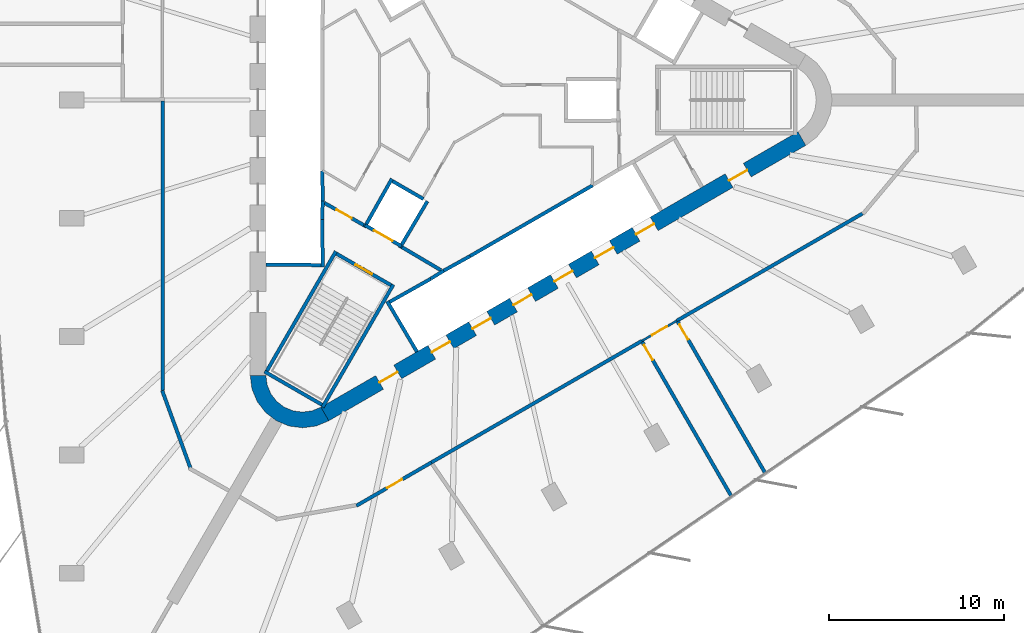
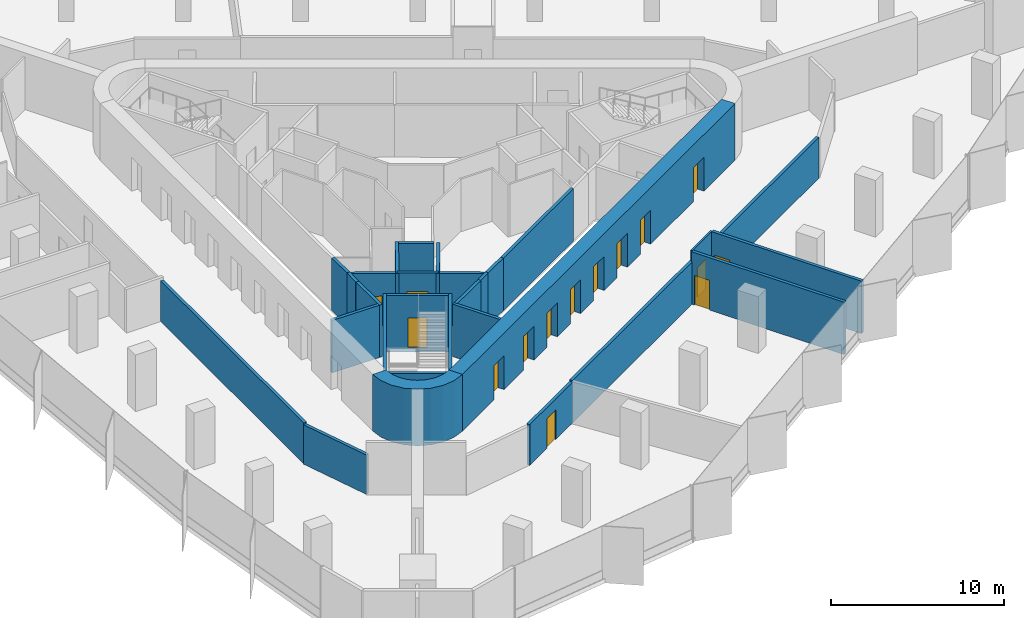
# One storey, part 8 of 13: 29 walls, 15 doors, 15 openings.
"""IFC4 building model written with IfcOpenShell, lengths in metres."""

from ifc_helpers import new_model, si_unit, direction, frame, frame_2d, origin, place, context, subcontext, project, spatial, polyline, rectangle, outline, extrude, material, layer, layer_set, type_object, element, fill, save


model = new_model("IFC4")

# Units and contexts
model_context = context("Model", 3, precision=1e-05, world=origin(), true_north=direction((0.0, 1.0)))
body_context = subcontext(model_context, "Body", "Model", "MODEL_VIEW")
ifc_project = project(units=[si_unit("LENGTHUNIT", "METRE"), si_unit("AREAUNIT", "SQUARE_METRE"), si_unit("VOLUMEUNIT", "CUBIC_METRE"), si_unit("PLANEANGLEUNIT", "RADIAN"), si_unit("MASSUNIT", "GRAM", prefix="KILO")], contexts=[model_context])

# Site, building, storey
site_placement = place(None, origin())
site = spatial("IfcSite", under=ifc_project, at=site_placement, CompositionType="ELEMENT")
building_placement = place(site_placement, origin())
building = spatial("IfcBuilding", under=site, at=building_placement, Name="Tanit Gate Tower", CompositionType="ELEMENT")
storey_placement = place(building_placement, frame((0.0, 0.0, 201.199951171875)))
storey = spatial("IfcBuildingStorey", under=building, at=storey_placement, Name="L44", CompositionType="ELEMENT", Elevation=201.199951171875)

# Wall, openings, doors
ifc_material_1 = material(Name="Concrete C50/60", Category="concrete")
ifc_layer_1 = layer(ifc_material_1, 0.89990234375)
ifc_layer_set_1 = layer_set([ifc_layer_1], Name="CORE WALL 900 C50/60")
wall_type_1 = type_object("IfcWallType", Name="CORE WALL 900 C50/60", PredefinedType="SHEAR", material=ifc_layer_set_1)
wall_1_placement = place(storey_placement, frame((-7.824951171875, -17.969970703125, 0.0), z_axis=(0.0, 0.0, 1.0), x_axis=(0.866028369851, 0.499994862586, 0.0)))
wall_1 = element("IfcWall", 1, at=wall_1_placement, inside=storey, type_object=wall_type_1, Name="CORE WALL", PredefinedType="SHEAR", context=body_context, shape_type="SweptSolid", body=[
    extrude(rectangle(XDim=31.523193359375, YDim=0.89990234375, at=frame_2d((15.76171875, 0.0))), origin(), (0.0, 0.0, 1.0), 4.0),
])
opening_1_placement = place(wall_1_placement, frame((7.061767578125, 0.0, 0.0)))
opening_1 = element("IfcOpeningElement", 2, at=opening_1_placement, cuts=wall_1, Name="Opening LDSX1-S11", PredefinedType="OPENING", context=body_context, shape_type="SweptSolid", body=[
    extrude(rectangle(XDim=1.199951171875, YDim=2.39990234375, at=frame_2d((0.60009765625, 1.199951171875))), frame((0.0, 0.4599609375, 0.0), z_axis=(0.0, -1.0, 0.0), x_axis=(1.0, 0.0, 0.0)), (0.0, 0.0, 1.0), 0.919921875),
])
opening_2_placement = place(wall_1_placement, frame((9.76171875, 0.0, 0.0)))
opening_2 = element("IfcOpeningElement", 3, at=opening_2_placement, cuts=wall_1, Name="Opening LDSX2-S11", PredefinedType="OPENING", context=body_context, shape_type="SweptSolid", body=[
    extrude(rectangle(XDim=1.199951171875, YDim=2.39990234375, at=frame_2d((0.60009765625, 1.199951171875))), frame((0.0, 0.4599609375, 0.0), z_axis=(0.0, -1.0, 0.0), x_axis=(1.0, 0.0, 0.0)), (0.0, 0.0, 1.0), 0.919921875),
])
opening_3_placement = place(wall_1_placement, frame((12.461669921875, 0.0, 0.0)))
opening_3 = element("IfcOpeningElement", 4, at=opening_3_placement, cuts=wall_1, Name="Opening LDSX3-S11", PredefinedType="OPENING", context=body_context, shape_type="SweptSolid", body=[
    extrude(rectangle(XDim=1.199951171875, YDim=2.39990234375, at=frame_2d((0.60009765625, 1.199951171875))), frame((0.0, 0.4599609375, 0.0), z_axis=(0.0, -1.0, 0.0), x_axis=(1.0, 0.0, 0.0)), (0.0, 0.0, 1.0), 0.919921875),
])
opening_4_placement = place(wall_1_placement, frame((15.16162109375, 0.0, 0.0)))
opening_4 = element("IfcOpeningElement", 5, at=opening_4_placement, cuts=wall_1, Name="Opening LDSX4-S11", PredefinedType="OPENING", context=body_context, shape_type="SweptSolid", body=[
    extrude(rectangle(XDim=1.199951171875, YDim=2.39990234375, at=frame_2d((0.60009765625, 1.199951171875))), frame((0.0, 0.4599609375, 0.0), z_axis=(0.0, -1.0, 0.0), x_axis=(1.0, 0.0, 0.0)), (0.0, 0.0, 1.0), 0.919921875),
])
opening_5_placement = place(wall_1_placement, frame((17.861572265625, 0.0, 0.0)))
opening_5 = element("IfcOpeningElement", 6, at=opening_5_placement, cuts=wall_1, Name="Opening LDSV1-S11", PredefinedType="OPENING", context=body_context, shape_type="SweptSolid", body=[
    extrude(rectangle(XDim=1.199951171875, YDim=2.39990234375, at=frame_2d((0.60009765625, 1.199951171875))), frame((0.0, 0.4599609375, 0.0), z_axis=(0.0, -1.0, 0.0), x_axis=(1.0, 0.0, 0.0)), (0.0, 0.0, 1.0), 0.919921875),
])
opening_6_placement = place(wall_1_placement, frame((20.561767578125, 0.0, 0.0)))
opening_6 = element("IfcOpeningElement", 7, at=opening_6_placement, cuts=wall_1, Name="Opening LDSV2-S11", PredefinedType="OPENING", context=body_context, shape_type="SweptSolid", body=[
    extrude(rectangle(XDim=1.199951171875, YDim=2.39990234375, at=frame_2d((0.60009765625, 1.199951171875))), frame((0.0, 0.4599609375, 0.0), z_axis=(0.0, -1.0, 0.0), x_axis=(1.0, 0.0, 0.0)), (0.0, 0.0, 1.0), 0.919921875),
])
opening_7_placement = place(wall_1_placement, frame((26.711669921875, 0.0, 0.0)))
opening_7 = element("IfcOpeningElement", 8, at=opening_7_placement, cuts=wall_1, Name="Opening F12-S11-S1", PredefinedType="OPENING", context=body_context, shape_type="SweptSolid", body=[
    extrude(rectangle(XDim=1.199951171875, YDim=2.39990234375, at=frame_2d((0.60009765625, 1.199951171875))), frame((0.0, 0.4599609375, 0.0), z_axis=(0.0, -1.0, 0.0), x_axis=(1.0, 0.0, 0.0)), (0.0, 0.0, 1.0), 0.919921875),
])
opening_8_placement = place(wall_1_placement, frame((3.611572265625, 0.0, 0.0)))
opening_8 = element("IfcOpeningElement", 9, at=opening_8_placement, cuts=wall_1, Name="Opening F12-S11-FL3", PredefinedType="OPENING", context=body_context, shape_type="SweptSolid", body=[
    extrude(rectangle(XDim=1.199951171875, YDim=2.39990234375, at=frame_2d((0.60009765625, 1.199951171875))), frame((0.0, 0.4599609375, 0.0), z_axis=(0.0, -1.0, 0.0), x_axis=(1.0, 0.0, 0.0)), (0.0, 0.0, 1.0), 0.919921875),
])
ifc_material_2 = material(Name="Fire-rated steel door leaf", Category="steel")
door_type_1 = type_object("IfcDoorType", Name="INT-DOOR-FIRE-LOBBY-1200", OperationType="NOTDEFINED", PredefinedType="USERDEFINED", material=ifc_material_2)
door_1_placement = place(opening_7_placement, origin())
door_1 = element("IfcDoor", 10, at=door_1_placement, inside=storey, type_object=door_type_1, Name="Door F12-S11-S1", ObjectType="FIRE DOOR", OperationType="SINGLE_SWING_LEFT", OverallHeight=2.39990234375, OverallWidth=1.199951171875, PredefinedType="USERDEFINED", context=body_context, shape_type="SweptSolid", body=[
    extrude(rectangle(XDim=1.199951171875, YDim=2.39990234375, at=frame_2d((0.60009765625, 1.199951171875))), frame((0.0, 0.02490234375, 0.0), z_axis=(0.0, -1.0, 0.0), x_axis=(1.0, 0.0, 0.0)), (0.0, 0.0, 1.0), 0.050048828125),
])
fill(opening_7, door_1)
door_2_placement = place(opening_8_placement, origin())
door_2 = element("IfcDoor", 11, at=door_2_placement, inside=storey, type_object=door_type_1, Name="Door F12-S11-FL3", ObjectType="FIRE DOOR", OperationType="SINGLE_SWING_RIGHT", OverallHeight=2.39990234375, OverallWidth=1.199951171875, PredefinedType="USERDEFINED", context=body_context, shape_type="SweptSolid", body=[
    extrude(rectangle(XDim=1.199951171875, YDim=2.39990234375, at=frame_2d((0.60009765625, 1.199951171875))), frame((0.0, 0.02490234375, 0.0), z_axis=(0.0, -1.0, 0.0), x_axis=(1.0, 0.0, 0.0)), (0.0, 0.0, 1.0), 0.050048828125),
])
fill(opening_8, door_2)
ifc_material_3 = material(Name="Stainless steel sliding door leaf", Category="steel")
door_type_2 = type_object("IfcDoorType", Name="INT-DOOR-LANDING-1200", OperationType="NOTDEFINED", PredefinedType="USERDEFINED", material=ifc_material_3)
door_3_placement = place(opening_1_placement, origin())
door_3 = element("IfcDoor", 12, at=door_3_placement, inside=storey, type_object=door_type_2, Name="Door LDSX1-S11", ObjectType="LANDING DOOR", OperationType="SLIDING_TO_LEFT", OverallHeight=2.39990234375, OverallWidth=1.199951171875, PredefinedType="USERDEFINED", context=body_context, shape_type="SweptSolid", body=[
    extrude(rectangle(XDim=1.199951171875, YDim=2.39990234375, at=frame_2d((0.60009765625, 1.199951171875))), frame((0.0, 0.02490234375, 0.0), z_axis=(0.0, -1.0, 0.0), x_axis=(1.0, 0.0, 0.0)), (0.0, 0.0, 1.0), 0.050048828125),
])
fill(opening_1, door_3)
door_4_placement = place(opening_2_placement, origin())
door_4 = element("IfcDoor", 13, at=door_4_placement, inside=storey, type_object=door_type_2, Name="Door LDSX2-S11", ObjectType="LANDING DOOR", OperationType="SLIDING_TO_LEFT", OverallHeight=2.39990234375, OverallWidth=1.199951171875, PredefinedType="USERDEFINED", context=body_context, shape_type="SweptSolid", body=[
    extrude(rectangle(XDim=1.199951171875, YDim=2.39990234375, at=frame_2d((0.60009765625, 1.199951171875))), frame((0.0, 0.02490234375, 0.0), z_axis=(0.0, -1.0, 0.0), x_axis=(1.0, 0.0, 0.0)), (0.0, 0.0, 1.0), 0.050048828125),
])
fill(opening_2, door_4)
door_5_placement = place(opening_3_placement, origin())
door_5 = element("IfcDoor", 14, at=door_5_placement, inside=storey, type_object=door_type_2, Name="Door LDSX3-S11", ObjectType="LANDING DOOR", OperationType="SLIDING_TO_LEFT", OverallHeight=2.39990234375, OverallWidth=1.199951171875, PredefinedType="USERDEFINED", context=body_context, shape_type="SweptSolid", body=[
    extrude(rectangle(XDim=1.199951171875, YDim=2.39990234375, at=frame_2d((0.60009765625, 1.199951171875))), frame((0.0, 0.02490234375, 0.0), z_axis=(0.0, -1.0, 0.0), x_axis=(1.0, 0.0, 0.0)), (0.0, 0.0, 1.0), 0.050048828125),
])
fill(opening_3, door_5)
door_6_placement = place(opening_4_placement, origin())
door_6 = element("IfcDoor", 15, at=door_6_placement, inside=storey, type_object=door_type_2, Name="Door LDSX4-S11", ObjectType="LANDING DOOR", OperationType="SLIDING_TO_LEFT", OverallHeight=2.39990234375, OverallWidth=1.199951171875, PredefinedType="USERDEFINED", context=body_context, shape_type="SweptSolid", body=[
    extrude(rectangle(XDim=1.199951171875, YDim=2.39990234375, at=frame_2d((0.60009765625, 1.199951171875))), frame((0.0, 0.02490234375, 0.0), z_axis=(0.0, -1.0, 0.0), x_axis=(1.0, 0.0, 0.0)), (0.0, 0.0, 1.0), 0.050048828125),
])
fill(opening_4, door_6)
door_7_placement = place(opening_5_placement, origin())
door_7 = element("IfcDoor", 16, at=door_7_placement, inside=storey, type_object=door_type_2, Name="Door LDSV1-S11", ObjectType="LANDING DOOR", OperationType="SLIDING_TO_LEFT", OverallHeight=2.39990234375, OverallWidth=1.199951171875, PredefinedType="USERDEFINED", context=body_context, shape_type="SweptSolid", body=[
    extrude(rectangle(XDim=1.199951171875, YDim=2.39990234375, at=frame_2d((0.60009765625, 1.199951171875))), frame((0.0, 0.02490234375, 0.0), z_axis=(0.0, -1.0, 0.0), x_axis=(1.0, 0.0, 0.0)), (0.0, 0.0, 1.0), 0.050048828125),
])
fill(opening_5, door_7)
door_8_placement = place(opening_6_placement, origin())
door_8 = element("IfcDoor", 17, at=door_8_placement, inside=storey, type_object=door_type_2, Name="Door LDSV2-S11", ObjectType="LANDING DOOR", OperationType="SLIDING_TO_LEFT", OverallHeight=2.39990234375, OverallWidth=1.199951171875, PredefinedType="USERDEFINED", context=body_context, shape_type="SweptSolid", body=[
    extrude(rectangle(XDim=1.199951171875, YDim=2.39990234375, at=frame_2d((0.60009765625, 1.199951171875))), frame((0.0, 0.02490234375, 0.0), z_axis=(0.0, -1.0, 0.0), x_axis=(1.0, 0.0, 0.0)), (0.0, 0.0, 1.0), 0.050048828125),
])
fill(opening_6, door_8)

# Walls
wall_2_placement = place(storey_placement, origin())
element("IfcWall", 18, at=wall_2_placement, inside=storey, type_object=wall_type_1, Name="CORE WALL CORNER", PredefinedType="SHEAR", context=body_context, shape_type="SweptSolid", body=[
    extrude(outline(polyline([(-12.10009765625, -15.76171875), (-11.997802734375, -16.5380859375), (-11.697998046875, -17.26171875), (-11.22119140625, -17.883056640625), (-10.60009765625, -18.359619140625), (-9.87646484375, -18.659423828125), (-9.10009765625, -18.76171875), (-8.323486328125, -18.659423828125), (-7.60009765625, -18.359619140625), (-8.050048828125, -17.580322265625), (-8.556396484375, -17.7900390625), (-9.10009765625, -17.86181640625), (-9.6435546875, -17.7900390625), (-10.14990234375, -17.580322265625), (-10.5849609375, -17.24658203125), (-10.918701171875, -16.811767578125), (-11.12841796875, -16.30517578125), (-11.199951171875, -15.76171875), (-12.10009765625, -15.76171875)])), origin(), (0.0, 0.0, 1.0), 4.0),
])
ifc_material_4 = material(Name="Fire-rated gypsum board partition")
ifc_layer_2 = layer(ifc_material_4, 0.199951171875)
ifc_layer_set_2 = layer_set([ifc_layer_2], Name="INT-WALL-COMPARTMENT")
wall_type_2 = type_object("IfcWallType", Name="INT-WALL-COMPARTMENT", PredefinedType="PARTITIONING", material=ifc_layer_set_2)
wall_3_placement = place(storey_placement, frame((-3.400634765625, -8.43017578125, 0.0), z_axis=(0.0, 0.0, 1.0), x_axis=(0.860615607571, -0.509255118781, 0.0)))
element("IfcWall", 19, at=wall_3_placement, inside=storey, type_object=wall_type_2, Name="Wall Compartment W061", PredefinedType="PARTITIONING", context=body_context, shape_type="SweptSolid", body=[
    extrude(rectangle(XDim=2.58056640625, YDim=0.199951171875, at=frame_2d((1.290283203125, 0.0))), origin(), (0.0, 0.0, 1.0), 3.699951171875),
])

# Wall, opening, door
wall_4_placement = place(storey_placement, frame((-7.849365234375, -5.893798828125, 0.0), z_axis=(0.0, 0.0, 1.0), x_axis=(0.871363259478, -0.490638431059, 0.0)))
wall_4 = element("IfcWall", 20, at=wall_4_placement, inside=storey, type_object=wall_type_2, Name="Wall Compartment W062", PredefinedType="PARTITIONING", context=body_context, shape_type="SweptSolid", body=[
    extrude(rectangle(XDim=2.5810546875, YDim=0.199951171875, at=frame_2d((1.29052734375, 0.0))), origin(), (0.0, 0.0, 1.0), 3.699951171875),
])
opening_9_placement = place(wall_4_placement, frame((0.79052734375, 0.0, 0.0)))
opening_9 = element("IfcOpeningElement", 21, at=opening_9_placement, cuts=wall_4, Name="Opening F10-S11-08", PredefinedType="OPENING", context=body_context, shape_type="SweptSolid", body=[
    extrude(rectangle(XDim=1.0, YDim=2.10009765625, at=frame_2d((0.5, 1.050048828125))), frame((0.0, 0.10986328125, 0.0), z_axis=(0.0, -1.0, 0.0), x_axis=(1.0, 0.0, 0.0)), (0.0, 0.0, 1.0), 0.219970703125),
])
ifc_material_5 = material(Name="Fire-rated steel door leaf", Category="steel")
door_type_3 = type_object("IfcDoorType", Name="INT-DOOR-FIRE-1000", OperationType="NOTDEFINED", PredefinedType="USERDEFINED", material=ifc_material_5)
door_9_placement = place(opening_9_placement, origin())
door_9 = element("IfcDoor", 22, at=door_9_placement, inside=storey, type_object=door_type_3, Name="Door F10-S11-08", ObjectType="FIRE DOOR", OperationType="SINGLE_SWING_RIGHT", OverallHeight=2.10009765625, OverallWidth=1.0, PredefinedType="USERDEFINED", context=body_context, shape_type="SweptSolid", body=[
    extrude(rectangle(XDim=1.0, YDim=2.10009765625, at=frame_2d((0.5, 1.050048828125))), frame((0.0, 0.02490234375, 0.0), z_axis=(0.0, -1.0, 0.0), x_axis=(1.0, 0.0, 0.0)), (0.0, 0.0, 1.0), 0.050048828125),
])
fill(opening_9, door_9)

# Walls
wall_5_placement = place(storey_placement, frame((-17.13427734375, -16.628662109375, 0.0), z_axis=(0.0, 0.0, 1.0), x_axis=(0.342036655594, -0.939686610647, 0.0)))
element("IfcWall", 23, at=wall_5_placement, inside=storey, type_object=wall_type_2, Name="Wall Compartment W097", PredefinedType="PARTITIONING", context=body_context, shape_type="SweptSolid", body=[
    extrude(rectangle(XDim=4.740234375, YDim=0.199951171875, at=frame_2d((2.3701171875, 0.0))), origin(), (0.0, 0.0, 1.0), 2.780029296875),
])
wall_6_placement = place(storey_placement, frame((-17.10009765625, -0.070068359375, 0.0), z_axis=(0.0, 0.0, 1.0), x_axis=(0.0, -1.0, 0.0)))
element("IfcWall", 24, at=wall_6_placement, inside=storey, type_object=wall_type_2, Name="Wall Compartment W098", PredefinedType="PARTITIONING", context=body_context, shape_type="SweptSolid", body=[
    extrude(rectangle(XDim=16.552490234375, YDim=0.199951171875, at=frame_2d((8.2763671875, 0.0))), origin(), (0.0, 0.0, 1.0), 2.880126953125),
])

# Wall, opening, door
wall_7_placement = place(storey_placement, frame((-6.018798828125, -23.220458984375, 0.0), z_axis=(0.0, 0.0, 1.0), x_axis=(0.866018215049, 0.500012451049, 0.0)))
wall_7 = element("IfcWall", 25, at=wall_7_placement, inside=storey, type_object=wall_type_2, Name="Wall Compartment W112", PredefinedType="PARTITIONING", context=body_context, shape_type="SweptSolid", body=[
    extrude(rectangle(XDim=4.955322265625, YDim=0.199951171875, at=frame_2d((2.4775390625, 0.0))), origin(), (0.0, 0.0, 1.0), 2.880126953125),
])
opening_10_placement = place(wall_7_placement, frame((2.01953125, 0.0, 0.0)))
opening_10 = element("IfcOpeningElement", 26, at=opening_10_placement, cuts=wall_7, Name="Opening F10-S11-32", PredefinedType="OPENING", context=body_context, shape_type="SweptSolid", body=[
    extrude(rectangle(XDim=1.0, YDim=2.10009765625, at=frame_2d((0.5, 1.050048828125))), frame((0.0, 0.10986328125, 0.0), z_axis=(0.0, -1.0, 0.0), x_axis=(1.0, 0.0, 0.0)), (0.0, 0.0, 1.0), 0.219970703125),
])
door_10_placement = place(opening_10_placement, origin())
door_10 = element("IfcDoor", 27, at=door_10_placement, inside=storey, type_object=door_type_3, Name="Door F10-S11-32", ObjectType="FIRE DOOR", OperationType="SINGLE_SWING_RIGHT", OverallHeight=2.10009765625, OverallWidth=1.0, PredefinedType="USERDEFINED", context=body_context, shape_type="SweptSolid", body=[
    extrude(rectangle(XDim=1.0, YDim=2.10009765625, at=frame_2d((0.5, 1.050048828125))), frame((0.0, 0.02490234375, 0.0), z_axis=(0.0, -1.0, 0.0), x_axis=(1.0, 0.0, 0.0)), (0.0, 0.0, 1.0), 0.050048828125),
])
fill(opening_10, door_10)

# Walls
wall_8_placement = place(storey_placement, frame((-1.727294921875, -20.74267578125, 0.0), z_axis=(0.0, 0.0, 1.0), x_axis=(0.866022578741, 0.500004893086, 0.0)))
element("IfcWall", 28, at=wall_8_placement, inside=storey, type_object=wall_type_2, Name="Wall Compartment W111", PredefinedType="PARTITIONING", context=body_context, shape_type="SweptSolid", body=[
    extrude(rectangle(XDim=13.917236328125, YDim=0.199951171875, at=frame_2d((6.95849609375, 0.0))), origin(), (0.0, 0.0, 1.0), 2.97998046875),
])
wall_9_placement = place(storey_placement, frame((12.317138671875, -12.634033203125, 0.0), z_axis=(0.0, 0.0, 1.0), x_axis=(0.866028561818, 0.499994530085, 0.0)))
element("IfcWall", 29, at=wall_9_placement, inside=storey, type_object=wall_type_2, Name="Wall Compartment W110", PredefinedType="PARTITIONING", context=body_context, shape_type="SweptSolid", body=[
    extrude(rectangle(XDim=12.272705078125, YDim=0.199951171875, at=frame_2d((6.13623046875, 0.0))), origin(), (0.0, 0.0, 1.0), 2.880126953125),
])

# Wall, opening, door
wall_10_placement = place(storey_placement, frame((17.37548828125, -21.35498046875, 0.0), z_axis=(0.0, 0.0, 1.0), x_axis=(-0.500014165022, 0.866017225451, 0.0)))
wall_10 = element("IfcWall", 30, at=wall_10_placement, inside=storey, type_object=wall_type_2, Name="Wall Compartment W133", PredefinedType="PARTITIONING", context=body_context, shape_type="SweptSolid", body=[
    extrude(rectangle(XDim=10.021728515625, YDim=0.199951171875, at=frame_2d((5.0107421875, 0.0))), origin(), (0.0, 0.0, 1.0), 3.699951171875),
])
opening_11_placement = place(wall_10_placement, frame((8.82177734375, 0.0, 0.0)))
opening_11 = element("IfcOpeningElement", 31, at=opening_11_placement, cuts=wall_10, Name="Opening F10-S11-30", PredefinedType="OPENING", context=body_context, shape_type="SweptSolid", body=[
    extrude(rectangle(XDim=1.0, YDim=2.10009765625, at=frame_2d((0.5, 1.050048828125))), frame((0.0, 0.10986328125, 0.0), z_axis=(0.0, -1.0, 0.0), x_axis=(1.0, 0.0, 0.0)), (0.0, 0.0, 1.0), 0.219970703125),
])
door_11_placement = place(opening_11_placement, origin())
door_11 = element("IfcDoor", 32, at=door_11_placement, inside=storey, type_object=door_type_3, Name="Door F10-S11-30", ObjectType="FIRE DOOR", OperationType="SINGLE_SWING_LEFT", OverallHeight=2.10009765625, OverallWidth=1.0, PredefinedType="USERDEFINED", context=body_context, shape_type="SweptSolid", body=[
    extrude(rectangle(XDim=1.0, YDim=2.10009765625, at=frame_2d((0.5, 1.050048828125))), frame((0.0, 0.02490234375, 0.0), z_axis=(0.0, -1.0, 0.0), x_axis=(1.0, 0.0, 0.0)), (0.0, 0.0, 1.0), 0.050048828125),
])
fill(opening_11, door_11)

wall_11_placement = place(storey_placement, frame((10.338134765625, -13.845947265625, 0.0), z_axis=(0.0, 0.0, 1.0), x_axis=(0.499983401189, -0.8660349869, 0.0)))
wall_11 = element("IfcWall", 33, at=wall_11_placement, inside=storey, type_object=wall_type_2, Name="Wall Compartment W134", PredefinedType="PARTITIONING", context=body_context, shape_type="SweptSolid", body=[
    extrude(rectangle(XDim=10.204345703125, YDim=0.199951171875, at=frame_2d((5.10205078125, 0.0))), origin(), (0.0, 0.0, 1.0), 3.699951171875),
])
opening_12_placement = place(wall_11_placement, frame((0.199951171875, 0.0, 0.0)))
opening_12 = element("IfcOpeningElement", 34, at=opening_12_placement, cuts=wall_11, Name="Opening F10-S11-31", PredefinedType="OPENING", context=body_context, shape_type="SweptSolid", body=[
    extrude(rectangle(XDim=1.0, YDim=2.10009765625, at=frame_2d((0.5, 1.050048828125))), frame((0.0, 0.10986328125, 0.0), z_axis=(0.0, -1.0, 0.0), x_axis=(1.0, 0.0, 0.0)), (0.0, 0.0, 1.0), 0.219970703125),
])
door_12_placement = place(opening_12_placement, origin())
door_12 = element("IfcDoor", 35, at=door_12_placement, inside=storey, type_object=door_type_3, Name="Door F10-S11-31", ObjectType="FIRE DOOR", OperationType="SINGLE_SWING_LEFT", OverallHeight=2.10009765625, OverallWidth=1.0, PredefinedType="USERDEFINED", context=body_context, shape_type="SweptSolid", body=[
    extrude(rectangle(XDim=1.0, YDim=2.10009765625, at=frame_2d((0.5, 1.050048828125))), frame((0.0, 0.02490234375, 0.0), z_axis=(0.0, -1.0, 0.0), x_axis=(1.0, 0.0, 0.0)), (0.0, 0.0, 1.0), 0.050048828125),
])
fill(opening_12, door_12)

ifc_material_6 = material(Name="Gypsum board partition")
ifc_layer_3 = layer(ifc_material_6, 0.1201171875)
ifc_layer_set_3 = layer_set([ifc_layer_3], Name="INT-WALL-PARTITION")
wall_type_3 = type_object("IfcWallType", Name="INT-WALL-PARTITION", PredefinedType="PARTITIONING", material=ifc_layer_set_3)
wall_12_placement = place(storey_placement, frame((12.317138671875, -12.634033203125, 0.0), z_axis=(0.0, 0.0, 1.0), x_axis=(-0.86602648383, -0.499998129301, 0.0)))
wall_12 = element("IfcWall", 36, at=wall_12_placement, inside=storey, type_object=wall_type_3, Name="Wall Partition W107", PredefinedType="PARTITIONING", context=body_context, shape_type="SweptSolid", body=[
    extrude(rectangle(XDim=2.2998046875, YDim=0.1201171875, at=frame_2d((1.14990234375, 0.0))), origin(), (0.0, 0.0, 1.0), 3.699951171875),
])
opening_13_placement = place(wall_12_placement, frame((0.64990234375, 0.0, 0.0)))
opening_13 = element("IfcOpeningElement", 37, at=opening_13_placement, cuts=wall_12, Name="Opening D10-S11-20", PredefinedType="OPENING", context=body_context, shape_type="SweptSolid", body=[
    extrude(rectangle(XDim=1.0, YDim=2.10009765625, at=frame_2d((0.5, 1.050048828125))), frame((0.0, 0.070068359375, 0.0), z_axis=(0.0, -1.0, 0.0), x_axis=(1.0, 0.0, 0.0)), (0.0, 0.0, 1.0), 0.14013671875),
])
ifc_material_7 = material(Name="Timber door leaf", Category="wood")
door_type_4 = type_object("IfcDoorType", Name="INT-DOOR-SINGLE-1000", OperationType="NOTDEFINED", PredefinedType="NOTDEFINED", material=ifc_material_7)
door_13_placement = place(opening_13_placement, origin())
door_13 = element("IfcDoor", 38, at=door_13_placement, inside=storey, type_object=door_type_4, Name="Door D10-S11-20", OperationType="SINGLE_SWING_LEFT", OverallHeight=2.10009765625, OverallWidth=1.0, PredefinedType="NOTDEFINED", context=body_context, shape_type="SweptSolid", body=[
    extrude(rectangle(XDim=1.0, YDim=2.10009765625, at=frame_2d((0.5, 1.050048828125))), frame((0.0, 0.02490234375, 0.0), z_axis=(0.0, -1.0, 0.0), x_axis=(1.0, 0.0, 0.0)), (0.0, 0.0, 1.0), 0.050048828125),
])
fill(opening_13, door_13)

# Walls
ifc_material_8 = material(Name="Gypsum shaft wall system")
ifc_layer_4 = layer(ifc_material_8, 0.199951171875)
ifc_layer_set_4 = layer_set([ifc_layer_4], Name="INT-WALL-SHAFT")
wall_type_4 = type_object("IfcWallType", Name="INT-WALL-SHAFT", PredefinedType="PLUMBINGWALL", material=ifc_layer_set_4)
wall_13_placement = place(storey_placement, frame((-7.949951171875, -5.7724609375, 0.0), z_axis=(0.0, 0.0, 1.0), x_axis=(-0.030803413295, -0.999525462272, 0.0)))
element("IfcWall", 39, at=wall_13_placement, inside=storey, type_object=wall_type_4, Name="Wall Shaft W008", PredefinedType="PLUMBINGWALL", context=body_context, shape_type="SweptSolid", body=[
    extrude(rectangle(XDim=1.077880859375, YDim=0.199951171875, at=frame_2d((0.5390625, 0.0))), origin(), (0.0, 0.0, 1.0), 3.699951171875),
])
wall_14_placement = place(storey_placement, frame((-7.971435546875, -4.050048828125, 0.0), z_axis=(0.0, 0.0, 1.0), x_axis=(0.012042535896, -0.999927486035, 0.0)))
element("IfcWall", 40, at=wall_14_placement, inside=storey, type_object=wall_type_4, Name="Wall Shaft W009", PredefinedType="PLUMBINGWALL", context=body_context, shape_type="SweptSolid", body=[
    extrude(rectangle(XDim=1.844970703125, YDim=0.199951171875, at=frame_2d((0.92236328125, 0.0))), origin(), (0.0, 0.0, 1.0), 3.699951171875),
])
wall_15_placement = place(storey_placement, frame((-7.97900390625, -6.85009765625, 0.0), z_axis=(0.0, 0.0, 1.0), x_axis=(0.011121475088, -0.999938154483, 0.0)))
element("IfcWall", 41, at=wall_15_placement, inside=storey, type_object=wall_type_4, Name="Wall Shaft W010", PredefinedType="PLUMBINGWALL", context=body_context, shape_type="SweptSolid", body=[
    extrude(rectangle(XDim=2.7001953125, YDim=0.199951171875, at=frame_2d((1.35009765625, 0.0))), origin(), (0.0, 0.0, 1.0), 3.699951171875),
])
wall_16_placement = place(storey_placement, frame((-8.050048828125, -9.448974609375, 0.0), z_axis=(0.0, 0.0, 1.0), x_axis=(-0.999957467379, 0.009222983926, 0.0)))
element("IfcWall", 42, at=wall_16_placement, inside=storey, type_object=wall_type_4, Name="Wall Shaft W011", PredefinedType="PLUMBINGWALL", context=body_context, shape_type="SweptSolid", body=[
    extrude(rectangle(XDim=3.150146484375, YDim=0.199951171875, at=frame_2d((1.5751953125, 0.0))), origin(), (0.0, 0.0, 1.0), 3.699951171875),
])
wall_17_placement = place(storey_placement, frame((0.482666015625, -8.935791015625, 0.0), z_axis=(0.0, 0.0, 1.0), x_axis=(0.866030989016, 0.499990325971, 0.0)))
element("IfcWall", 43, at=wall_17_placement, inside=storey, type_object=wall_type_4, Name="Wall Shaft W023", PredefinedType="PLUMBINGWALL", context=body_context, shape_type="SweptSolid", body=[
    extrude(rectangle(XDim=8.099853515625, YDim=0.199951171875, at=frame_2d((4.0498046875, 0.0))), origin(), (0.0, 0.0, 1.0), 3.699951171875),
])
wall_18_placement = place(storey_placement, frame((-2.557861328125, -14.409423828125, 0.0), z_axis=(0.0, 0.0, 1.0), x_axis=(-0.507997497166, 0.861358544901, 0.0)))
element("IfcWall", 44, at=wall_18_placement, inside=storey, type_object=wall_type_4, Name="Wall Shaft W019", PredefinedType="PLUMBINGWALL", context=body_context, shape_type="SweptSolid", body=[
    extrude(rectangle(XDim=3.350341796875, YDim=0.199951171875, at=frame_2d((1.67529296875, 0.0))), origin(), (0.0, 0.0, 1.0), 3.699951171875),
])
wall_19_placement = place(storey_placement, frame((-1.7685546875, -10.23681640625, 0.0), z_axis=(0.0, 0.0, 1.0), x_axis=(-0.871534483978, -0.490334215854, 0.0)))
element("IfcWall", 45, at=wall_19_placement, inside=storey, type_object=wall_type_4, Name="Wall Shaft W020", PredefinedType="PLUMBINGWALL", context=body_context, shape_type="SweptSolid", body=[
    extrude(rectangle(XDim=2.7001953125, YDim=0.199951171875, at=frame_2d((1.35009765625, 0.0))), origin(), (0.0, 0.0, 1.0), 3.699951171875),
])
wall_20_placement = place(storey_placement, frame((-1.02392578125, -9.77099609375, 0.0), z_axis=(0.0, 0.0, 1.0), x_axis=(-0.850348075135, -0.526220629693, 0.0)))
element("IfcWall", 46, at=wall_20_placement, inside=storey, type_object=wall_type_4, Name="Wall Shaft W021", PredefinedType="PLUMBINGWALL", context=body_context, shape_type="SweptSolid", body=[
    extrude(rectangle(XDim=0.878173828125, YDim=0.199951171875, at=frame_2d((0.43896484375, 0.0))), origin(), (0.0, 0.0, 1.0), 3.699951171875),
])
wall_21_placement = place(storey_placement, frame((-1.130126953125, -9.831298828125, 0.0), z_axis=(0.0, 0.0, 1.0), x_axis=(0.874269620932, 0.485440655401, 0.0)))
element("IfcWall", 47, at=wall_21_placement, inside=storey, type_object=wall_type_4, Name="Wall Shaft W022", PredefinedType="PLUMBINGWALL", context=body_context, shape_type="SweptSolid", body=[
    extrude(rectangle(XDim=1.8447265625, YDim=0.199951171875, at=frame_2d((0.92236328125, 0.0))), origin(), (0.0, 0.0, 1.0), 3.699951171875),
])

# Wall, opening, door
wall_22_placement = place(storey_placement, frame((-3.44580078125, -8.3681640625, 0.0), z_axis=(0.0, 0.0, 1.0), x_axis=(-0.866024647952, 0.500001309137, 0.0)))
wall_22 = element("IfcWall", 48, at=wall_22_placement, inside=storey, type_object=wall_type_4, Name="Wall Shaft W045", PredefinedType="PLUMBINGWALL", context=body_context, shape_type="SweptSolid", body=[
    extrude(rectangle(XDim=2.39990234375, YDim=0.199951171875, at=frame_2d((1.199951171875, 0.0))), origin(), (0.0, 0.0, 1.0), 3.699951171875),
])
opening_14_placement = place(wall_22_placement, frame((0.60009765625, 0.0, 0.0)))
opening_14 = element("IfcOpeningElement", 49, at=opening_14_placement, cuts=wall_22, Name="Opening LDFL3-L44", PredefinedType="OPENING", context=body_context, shape_type="SweptSolid", body=[
    extrude(rectangle(XDim=1.199951171875, YDim=2.39990234375, at=frame_2d((0.60009765625, 1.199951171875))), frame((0.0, 0.10986328125, 0.0), z_axis=(0.0, -1.0, 0.0), x_axis=(1.0, 0.0, 0.0)), (0.0, 0.0, 1.0), 0.219970703125),
])
door_14_placement = place(opening_14_placement, origin())
door_14 = element("IfcDoor", 50, at=door_14_placement, inside=storey, type_object=door_type_2, Name="Door LDFL3-L44", ObjectType="LANDING DOOR", OperationType="SLIDING_TO_LEFT", OverallHeight=2.39990234375, OverallWidth=1.199951171875, PredefinedType="USERDEFINED", context=body_context, shape_type="SweptSolid", body=[
    extrude(rectangle(XDim=1.199951171875, YDim=2.39990234375, at=frame_2d((0.60009765625, 1.199951171875))), frame((0.0, 0.02490234375, 0.0), z_axis=(0.0, -1.0, 0.0), x_axis=(1.0, 0.0, 0.0)), (0.0, 0.0, 1.0), 0.050048828125),
])
fill(opening_14, door_14)

# Walls
wall_23_placement = place(storey_placement, frame((-1.960693359375, -5.796142578125, 0.0), z_axis=(0.0, 0.0, 1.0), x_axis=(-0.508647062354, -0.860975125052, 0.0)))
element("IfcWall", 51, at=wall_23_placement, inside=storey, type_object=wall_type_4, Name="Wall Shaft W046", PredefinedType="PLUMBINGWALL", context=body_context, shape_type="SweptSolid", body=[
    extrude(rectangle(XDim=3.10009765625, YDim=0.199951171875, at=frame_2d((1.550048828125, 0.0))), origin(), (0.0, 0.0, 1.0), 3.699951171875),
])
wall_24_placement = place(storey_placement, frame((-3.989990234375, -4.509033203125, 0.0), z_axis=(0.0, 0.0, 1.0), x_axis=(-0.491358283181, -0.870957540612, 0.0)))
element("IfcWall", 52, at=wall_24_placement, inside=storey, type_object=wall_type_4, Name="Wall Shaft W047", PredefinedType="PLUMBINGWALL", context=body_context, shape_type="SweptSolid", body=[
    extrude(rectangle(XDim=3.200439453125, YDim=0.199951171875, at=frame_2d((1.60009765625, 0.0))), origin(), (0.0, 0.0, 1.0), 3.699951171875),
])
wall_25_placement = place(storey_placement, frame((-3.95263671875, -4.646240234375, 0.0), z_axis=(0.0, 0.0, 1.0), x_axis=(0.866032100247, -0.499988401207, 0.0)))
element("IfcWall", 53, at=wall_25_placement, inside=storey, type_object=wall_type_4, Name="Wall Shaft W048", PredefinedType="PLUMBINGWALL", context=body_context, shape_type="SweptSolid", body=[
    extrude(rectangle(XDim=2.03955078125, YDim=0.199951171875, at=frame_2d((1.019775390625, 0.0))), origin(), (0.0, 0.0, 1.0), 3.699951171875),
])
ifc_material_9 = material(Name="Concrete C40/50", Category="concrete")
ifc_layer_5 = layer(ifc_material_9, 0.199951171875)
ifc_layer_set_5 = layer_set([ifc_layer_5], Name="INT-WALL-STAIR")
wall_type_5 = type_object("IfcWallType", Name="INT-WALL-STAIR", PredefinedType="SHEAR", material=ifc_layer_set_5)
wall_26_placement = place(storey_placement, frame((-3.904541015625, -10.56298828125, -0.300048828125), z_axis=(0.0, 0.0, 1.0), x_axis=(-0.500012932018, -0.866017937352, 0.0)))
element("IfcWall", 54, at=wall_26_placement, inside=storey, type_object=wall_type_5, Name="Wall Stair W041", PredefinedType="SHEAR", context=body_context, shape_type="SweptSolid", body=[
    extrude(rectangle(XDim=8.099853515625, YDim=0.199951171875, at=frame_2d((4.0498046875, 0.0))), origin(), (0.0, 0.0, 1.0), 4.0),
])
wall_27_placement = place(storey_placement, frame((-11.281982421875, -15.541015625, -0.300048828125), z_axis=(0.0, 0.0, 1.0), x_axis=(0.866000483506, -0.500043160704, 0.0)))
element("IfcWall", 55, at=wall_27_placement, inside=storey, type_object=wall_type_5, Name="Wall Stair W042", PredefinedType="SHEAR", context=body_context, shape_type="SweptSolid", body=[
    extrude(rectangle(XDim=3.800048828125, YDim=0.199951171875, at=frame_2d((1.89990234375, 0.0))), origin(), (0.0, 0.0, 1.0), 4.0),
])
wall_28_placement = place(storey_placement, frame((-7.195556640625, -8.662841796875, -0.300048828125), z_axis=(0.0, 0.0, 1.0), x_axis=(-0.499997992926, -0.866026562566, 0.0)))
element("IfcWall", 56, at=wall_28_placement, inside=storey, type_object=wall_type_5, Name="Wall Stair W043", PredefinedType="SHEAR", context=body_context, shape_type="SweptSolid", body=[
    extrude(rectangle(XDim=7.89990234375, YDim=0.199951171875, at=frame_2d((3.949951171875, 0.0))), origin(), (0.0, 0.0, 1.0), 4.0),
])

# Wall, opening, door
wall_29_placement = place(storey_placement, frame((-4.041259765625, -10.599365234375, -0.300048828125), z_axis=(0.0, 0.0, 1.0), x_axis=(-0.866047807691, 0.499961193289, 0.0)))
wall_29 = element("IfcWall", 57, at=wall_29_placement, inside=storey, type_object=wall_type_5, Name="Wall Stair W044", PredefinedType="SHEAR", context=body_context, shape_type="SweptSolid", body=[
    extrude(rectangle(XDim=3.599853515625, YDim=0.199951171875, at=frame_2d((1.7998046875, 0.0))), origin(), (0.0, 0.0, 1.0), 4.0),
])
opening_15_placement = place(wall_29_placement, frame((1.25, 0.0, 0.300048828125)))
opening_15 = element("IfcOpeningElement", 58, at=opening_15_placement, cuts=wall_29, Name="Opening S11-S11-07", PredefinedType="OPENING", context=body_context, shape_type="SweptSolid", body=[
    extrude(rectangle(XDim=1.10009765625, YDim=2.10009765625, at=frame_2d((0.550048828125, 1.050048828125))), frame((0.0, 0.10986328125, 0.0), z_axis=(0.0, -1.0, 0.0), x_axis=(1.0, 0.0, 0.0)), (0.0, 0.0, 1.0), 0.219970703125),
])
ifc_material_10 = material(Name="Timber door leaf", Category="wood")
door_type_5 = type_object("IfcDoorType", Name="INT-DOOR-STAIR-1100", OperationType="NOTDEFINED", PredefinedType="USERDEFINED", material=ifc_material_10)
door_15_placement = place(opening_15_placement, origin())
door_15 = element("IfcDoor", 59, at=door_15_placement, inside=storey, type_object=door_type_5, Name="Door S11-S11-07", ObjectType="FIRE DOOR", OperationType="SINGLE_SWING_RIGHT", OverallHeight=2.10009765625, OverallWidth=1.10009765625, PredefinedType="USERDEFINED", context=body_context, shape_type="SweptSolid", body=[
    extrude(rectangle(XDim=1.10009765625, YDim=2.10009765625, at=frame_2d((0.550048828125, 1.050048828125))), frame((0.0, 0.02490234375, 0.0), z_axis=(0.0, -1.0, 0.0), x_axis=(1.0, 0.0, 0.0)), (0.0, 0.0, 1.0), 0.050048828125),
])
fill(opening_15, door_15)

save(model, "model.ifc")
